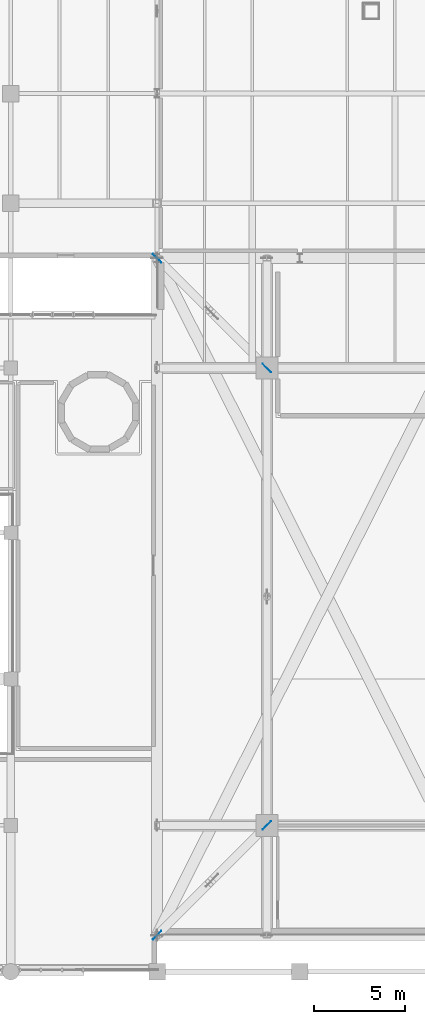
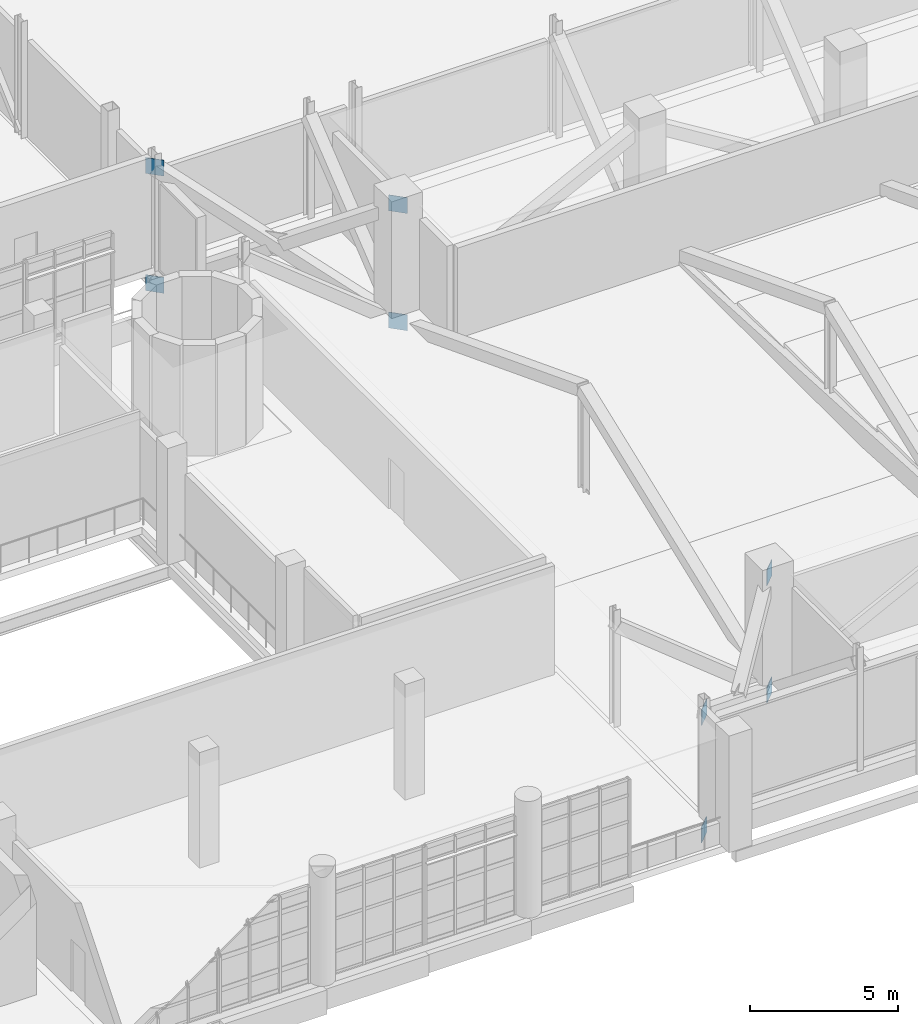
# One storey, part 102 of 127: 8 plates.
"""IFC4 building model written with IfcOpenShell, lengths in metres."""

from ifc_helpers import new_model, si_unit, derived_unit, direction, frame, origin, origin_2d, place, context, subcontext, project, spatial, rectangle, extrude, material, layer, layer_set, type_object, element, save


model = new_model("IFC4")

# Units and contexts
model_context = context("Model", 3, precision=1e-05, world=origin(), true_north=direction((0.0, 1.0)))
body_context = subcontext(model_context, "Body", "Model", "MODEL_VIEW")
ifc_project = project(units=[si_unit("LENGTHUNIT", "METRE"), si_unit("AREAUNIT", "SQUARE_METRE"), si_unit("VOLUMEUNIT", "CUBIC_METRE"), si_unit("PLANEANGLEUNIT", "RADIAN"), si_unit("MASSUNIT", "GRAM", prefix="KILO"), derived_unit("THERMALTRANSMITTANCEUNIT", [(si_unit("POWERUNIT", "WATT"), 1), (si_unit("LENGTHUNIT", "METRE"), -2), (si_unit("THERMODYNAMICTEMPERATUREUNIT", "KELVIN"), -1)])], contexts=[model_context])

# Site, building, storey
site_placement = place(None, origin())
site = spatial("IfcSite", under=ifc_project, at=site_placement, CompositionType="ELEMENT")
building_placement = place(site_placement, origin())
building = spatial("IfcBuilding", under=site, at=building_placement, Name="Nallur Shell Playhouse", CompositionType="ELEMENT")
storey_placement = place(building_placement, frame((0.0, 0.0, 5.39990234375)))
storey = spatial("IfcBuildingStorey", under=building, at=storey_placement, Name="L02", CompositionType="ELEMENT", Elevation=5.39990234375)

# Plates
ifc_material = material(Name="Steel E350", Category="steel")
ifc_layer = layer(ifc_material, 0.02490234375)
ifc_layer_set = layer_set([ifc_layer], Name="Steel E350")
plate_type = type_object("IfcPlateType", Name="PT-GUSSET-25", PredefinedType="USERDEFINED", material=ifc_layer_set)
for number, where, z_axis, x_axis, name in (
    (1, (70.0, 16.0, -1.0048828125), (0.0, 0.0, 1.0), (-0.707106781187, -0.707106781187, 0.0), "Corner transfer TTC-SW end gusset plate B0"),
    (2, (70.0, 16.0, 3.815185546875), (0.0, 0.0, 1.0), (-0.707106781187, -0.707106781187, 0.0), "Corner transfer TTC-SW end gusset plate T0"),
    (3, (64.0, 10.0, -1.0048828125), (0.0, 0.0, 1.0), (-0.707106781187, -0.707106781187, 0.0), "Corner transfer TTC-SW end gusset plate B1"),
    (4, (64.0, 10.0, 3.815185546875), (0.0, 0.0, 1.0), (-0.707106781187, -0.707106781187, 0.0), "Corner transfer TTC-SW end gusset plate T1"),
    (5, (70.0, 41.0, -1.0048828125), (0.0, 0.0, 1.0), (-0.707106781187, 0.707106781187, 0.0), "Corner transfer TTC-NW end gusset plate B0"),
    (6, (70.0, 41.0, 3.815185546875), (0.0, 0.0, 1.0), (-0.707106781187, 0.707106781187, 0.0), "Corner transfer TTC-NW end gusset plate T0"),
    (7, (64.0, 47.0, -1.0048828125), (0.0, 0.0, 1.0), (-0.707106781187, 0.707106781187, 0.0), "Corner transfer TTC-NW end gusset plate B1"),
    (8, (64.0, 47.0, 3.815185546875), (0.0, 0.0, 1.0), (-0.707106781187, 0.707106781187, 0.0), "Corner transfer TTC-NW end gusset plate T1"),
):
    element("IfcPlate", number, at=place(storey_placement, frame(where, z_axis=z_axis, x_axis=x_axis)), inside=storey, type_object=plate_type, Name=name, ObjectType="GUSSET PLATE", PredefinedType="USERDEFINED", context=body_context, shape_type="SweptSolid", body=[
        extrude(rectangle(XDim=0.64990234375, YDim=0.02490234375, at=origin_2d()), origin(), (0.0, 0.0, 1.0), 0.64990234375),
    ])

save(model, "model.ifc")
